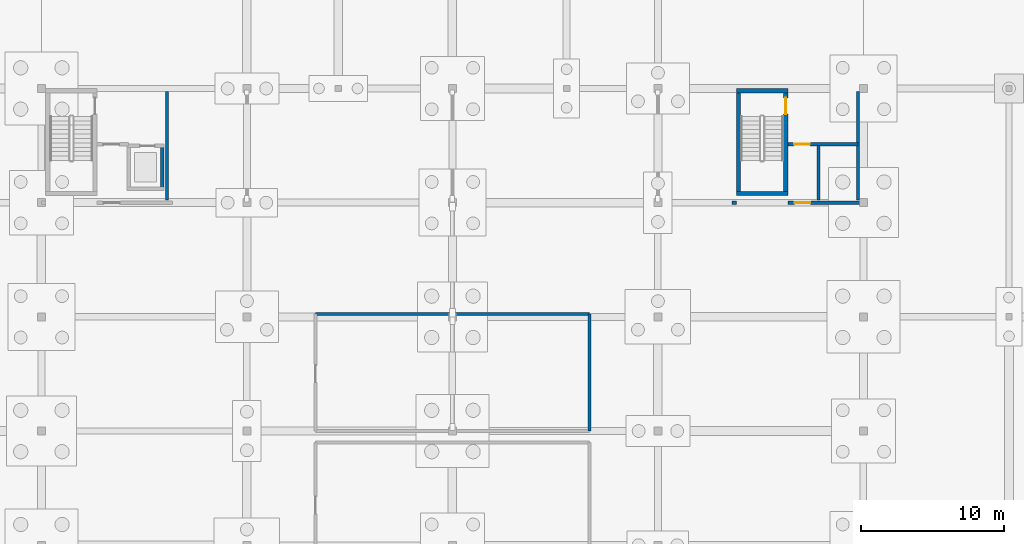
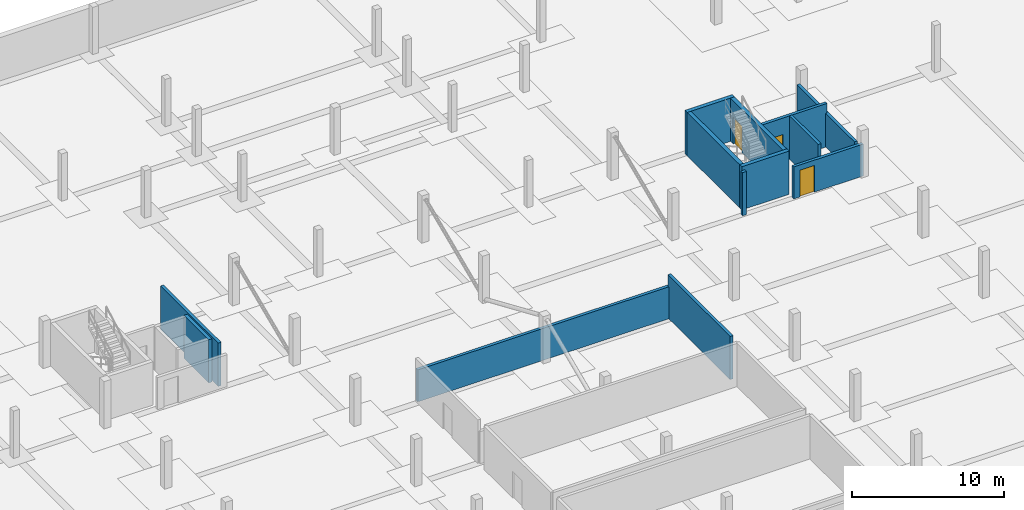
# One storey, part 23 of 38: 13 walls, 3 doors, 3 openings.
"""IFC4 building model written with IfcOpenShell, lengths in metres."""

from ifc_helpers import new_model, si_unit, direction, frame, frame_2d, origin, origin_with_axes, place, context, subcontext, project, spatial, rectangle, extrude, material, layer, layer_set, type_object, element, fill, save


model = new_model("IFC4")

# Units and contexts
model_context = context("Model", 3, precision=1e-05, world=origin(), true_north=direction((0.0, 1.0)))
body_context = subcontext(model_context, "Body", "Model", "MODEL_VIEW")
ifc_project = project(units=[si_unit("LENGTHUNIT", "METRE"), si_unit("AREAUNIT", "SQUARE_METRE"), si_unit("VOLUMEUNIT", "CUBIC_METRE"), si_unit("PLANEANGLEUNIT", "RADIAN"), si_unit("MASSUNIT", "GRAM", prefix="KILO")], contexts=[model_context])

# Site, building, storey
site_placement = place(None, origin())
site = spatial("IfcSite", under=ifc_project, at=site_placement, CompositionType="ELEMENT")
building_placement = place(site_placement, origin())
building = spatial("IfcBuilding", under=site, at=building_placement, Name="Zavelmont Quarter", CompositionType="ELEMENT")
storey_placement = place(building_placement, frame((0.0, 0.0, -3.800048828125)))
storey = spatial("IfcBuildingStorey", under=building, at=storey_placement, Name="B01", CompositionType="ELEMENT", Elevation=-3.800048828125)

# Walls
ifc_material_1 = material(Name="Reinforced masonry fire compartment wall", Category="masonry")
ifc_layer_1 = layer(ifc_material_1, 0.22509765625)
ifc_layer_set_1 = layer_set([ifc_layer_1], Name="Reinforced masonry fire compartment wall")
wall_type_1 = type_object("IfcWallType", Name="IW02", PredefinedType="PARTITIONING", material=ifc_layer_set_1)
wall_1_placement = place(storey_placement, frame((64.010009765625, 78.199951171875, 0.0), z_axis=(0.0, 0.0, 1.0), x_axis=(0.0, 1.0, 0.0)))
element("IfcWall", 1, at=wall_1_placement, inside=storey, type_object=wall_type_1, Name="B01 Firefighting lobby enclosure wall IW02", PredefinedType="PARTITIONING", context=body_context, shape_type="SweptSolid", body=[
    extrude(rectangle(XDim=7.60009765625, YDim=0.22509765625, at=frame_2d((3.800048828125, 0.0))), origin(), (0.0, 0.0, 1.0), 3.47998046875),
])
wall_2_placement = place(storey_placement, frame((112.409912109375, 78.199951171875, 0.0), z_axis=(0.0, 0.0, 1.0), x_axis=(0.0, 1.0, 0.0)))
element("IfcWall", 2, at=wall_2_placement, inside=storey, type_object=wall_type_1, Name="B01 Firefighting lobby enclosure wall IW02", PredefinedType="PARTITIONING", context=body_context, shape_type="SweptSolid", body=[
    extrude(rectangle(XDim=7.60009765625, YDim=0.22509765625, at=frame_2d((3.800048828125, 0.0))), origin(), (0.0, 0.0, 1.0), 2.719970703125),
])
wall_3_placement = place(storey_placement, frame((109.64990234375, 78.199951171875, 0.0), z_axis=(0.0, 0.0, 1.0), x_axis=(0.0, 1.0, 0.0)))
element("IfcWall", 3, at=wall_3_placement, inside=storey, type_object=wall_type_1, Name="B01 Vestibule side wall IW02", PredefinedType="PARTITIONING", context=body_context, shape_type="SweptSolid", body=[
    extrude(rectangle(XDim=3.800048828125, YDim=0.22509765625, at=frame_2d((1.89990234375, 0.0))), origin(), (0.0, 0.0, 1.0), 3.47998046875),
])

# Wall, opening, door
wall_4_placement = place(storey_placement, frame((107.5, 82.10009765625, 0.0), z_axis=(0.0, 0.0, 1.0), x_axis=(1.0, 0.0, 0.0)))
wall_4 = element("IfcWall", 4, at=wall_4_placement, inside=storey, type_object=wall_type_1, Name="B01 Firefighting lobby threshold wall IW02", PredefinedType="PARTITIONING", context=body_context, shape_type="SweptSolid", body=[
    extrude(rectangle(XDim=4.909912109375, YDim=0.22509765625, at=frame_2d((2.455078125, 0.0))), origin(), (0.0, 0.0, 1.0), 3.47998046875),
])
opening_1_placement = place(wall_4_placement, frame((0.449951171875, 0.0, 0.0)))
opening_1 = element("IfcOpeningElement", 5, at=opening_1_placement, cuts=wall_4, Name="Opening DR10", PredefinedType="OPENING", context=body_context, shape_type="SweptSolid", body=[
    extrude(rectangle(XDim=1.10009765625, YDim=2.14990234375, at=frame_2d((0.550048828125, 1.074951171875))), frame((0.0, 0.12451171875, 0.0), z_axis=(0.0, -1.0, 0.0), x_axis=(1.0, 0.0, 0.0)), (0.0, 0.0, 1.0), 0.2490234375),
])
ifc_material_2 = material(Name="Painted steel lobby fire door", Category="steel")
door_type_1 = type_object("IfcDoorType", Name="DR10", OperationType="NOTDEFINED", PredefinedType="DOOR", material=ifc_material_2)
door_1_placement = place(opening_1_placement, origin_with_axes())
door_1 = element("IfcDoor", 6, at=door_1_placement, inside=storey, type_object=door_type_1, Name="Firefighting lobby fire door", OperationType="SINGLE_SWING_RIGHT", OverallHeight=2.14990234375, OverallWidth=1.10009765625, PredefinedType="DOOR", context=body_context, shape_type="SweptSolid", body=[
    extrude(rectangle(XDim=1.10009765625, YDim=2.14990234375, at=frame_2d((0.550048828125, 1.074951171875))), frame((0.0, 0.02490234375, 0.0), z_axis=(0.0, -1.0, 0.0), x_axis=(1.0, 0.0, 0.0)), (0.0, 0.0, 1.0), 0.050048828125),
])
fill(opening_1, door_1)

# Wall
wall_5_placement = place(storey_placement, frame((103.60009765625, 78.0, 0.0), z_axis=(0.0, 0.0, 1.0), x_axis=(1.0, 0.0, 0.0)))
element("IfcWall", 7, at=wall_5_placement, inside=storey, type_object=wall_type_1, Name="B01 Core corridor wall IW02", PredefinedType="PARTITIONING", context=body_context, shape_type="SweptSolid", body=[
    extrude(rectangle(XDim=0.2998046875, YDim=0.22509765625, at=frame_2d((0.14990234375, 0.0))), origin(), (0.0, 0.0, 1.0), 3.47998046875),
])

# Wall, opening, door
wall_6_placement = place(storey_placement, frame((107.5, 78.0, 0.0), z_axis=(0.0, 0.0, 1.0), x_axis=(1.0, 0.0, 0.0)))
wall_6 = element("IfcWall", 8, at=wall_6_placement, inside=storey, type_object=wall_type_1, Name="B01 Core corridor fire wall IW02", PredefinedType="PARTITIONING", context=body_context, shape_type="SweptSolid", body=[
    extrude(rectangle(XDim=5.300048828125, YDim=0.22509765625, at=frame_2d((2.64990234375, 0.0))), origin(), (0.0, 0.0, 1.0), 2.570068359375),
])
opening_2_placement = place(wall_6_placement, frame((0.47509765625, 0.0, 0.0)))
opening_2 = element("IfcOpeningElement", 9, at=opening_2_placement, cuts=wall_6, Name="Opening DR10", PredefinedType="OPENING", context=body_context, shape_type="SweptSolid", body=[
    extrude(rectangle(XDim=1.10009765625, YDim=2.14990234375, at=frame_2d((0.550048828125, 1.074951171875))), frame((0.0, 0.12451171875, 0.0), z_axis=(0.0, -1.0, 0.0), x_axis=(1.0, 0.0, 0.0)), (0.0, 0.0, 1.0), 0.2490234375),
])
door_2_placement = place(opening_2_placement, origin_with_axes())
door_2 = element("IfcDoor", 10, at=door_2_placement, inside=storey, type_object=door_type_1, Name="Core vestibule fire door", OperationType="SINGLE_SWING_LEFT", OverallHeight=2.14990234375, OverallWidth=1.10009765625, PredefinedType="DOOR", context=body_context, shape_type="SweptSolid", body=[
    extrude(rectangle(XDim=1.10009765625, YDim=2.14990234375, at=frame_2d((0.550048828125, 1.074951171875))), frame((0.0, 0.02490234375, 0.0), z_axis=(0.0, -1.0, 0.0), x_axis=(1.0, 0.0, 0.0)), (0.0, 0.0, 1.0), 0.050048828125),
])
fill(opening_2, door_2)

# Walls
wall_7_placement = place(storey_placement, frame((74.39990234375, 70.199951171875, 0.0), z_axis=(0.0, 0.0, 1.0), x_axis=(1.0, 0.0, 0.0)))
element("IfcWall", 11, at=wall_7_placement, inside=storey, type_object=wall_type_1, Name="B01 Main Electrical Switchroom N wall IW02", PredefinedType="PARTITIONING", context=body_context, shape_type="SweptSolid", body=[
    extrude(rectangle(XDim=19.2001953125, YDim=0.22509765625, at=frame_2d((9.60009765625, 0.0))), origin(), (0.0, 0.0, 1.0), 2.570068359375),
])
wall_8_placement = place(storey_placement, frame((93.60009765625, 62.0, 0.0), z_axis=(0.0, 0.0, 1.0), x_axis=(0.0, 1.0, 0.0)))
element("IfcWall", 12, at=wall_8_placement, inside=storey, type_object=wall_type_1, Name="B01 Main Electrical Switchroom E wall IW02", PredefinedType="PARTITIONING", context=body_context, shape_type="SweptSolid", body=[
    extrude(rectangle(XDim=8.199951171875, YDim=0.22509765625, at=frame_2d((4.10009765625, 0.0))), origin(), (0.0, 0.0, 1.0), 3.47998046875),
])
ifc_material_3 = material(Name="Concrete C40/50", Category="concrete")
ifc_layer_2 = layer(ifc_material_3, 0.300048828125)
ifc_layer_set_2 = layer_set([ifc_layer_2], Name="Concrete C40/50")
wall_type_2 = type_object("IfcWallType", Name="SW01", PredefinedType="SHEAR", material=ifc_layer_set_2)
for number, where, z_axis, x_axis, name in (
    (13, (103.89990234375, 85.85009765625, 0.0), (0.0, 0.0, 1.0), (1.0, 0.0, 0.0), "B01 ST10 outer shear wall SW01"),
    (14, (103.89990234375, 78.64990234375, 0.0), (0.0, 0.0, 1.0), (1.0, 0.0, 0.0), "B01 ST10 corridor shear wall SW01"),
):
    element("IfcWall", number, at=place(storey_placement, frame(where, z_axis=z_axis, x_axis=x_axis)), inside=storey, type_object=wall_type_2, Name=name, PredefinedType="SHEAR", context=body_context, shape_type="SweptSolid", body=[
        extrude(rectangle(XDim=3.60009765625, YDim=0.300048828125, at=frame_2d((1.800048828125, 0.0))), origin(), (0.0, 0.0, 1.0), 3.47998046875),
    ])
wall_9_placement = place(storey_placement, frame((104.050048828125, 78.5, 0.0), z_axis=(0.0, 0.0, 1.0), x_axis=(0.0, 1.0, 0.0)))
element("IfcWall", 15, at=wall_9_placement, inside=storey, type_object=wall_type_2, Name="B01 ST10 west shear wall SW01", PredefinedType="SHEAR", context=body_context, shape_type="SweptSolid", body=[
    extrude(rectangle(XDim=7.5, YDim=0.300048828125, at=frame_2d((3.75, 0.0))), origin(), (0.0, 0.0, 1.0), 3.47998046875),
])

# Wall, opening, door
wall_10_placement = place(storey_placement, frame((107.35009765625, 78.5, 0.0), z_axis=(0.0, 0.0, 1.0), x_axis=(0.0, 1.0, 0.0)))
wall_10 = element("IfcWall", 16, at=wall_10_placement, inside=storey, type_object=wall_type_2, Name="B01 ST10 lobby shear wall SW01", PredefinedType="SHEAR", context=body_context, shape_type="SweptSolid", body=[
    extrude(rectangle(XDim=7.5, YDim=0.300048828125, at=frame_2d((3.75, 0.0))), origin(), (0.0, 0.0, 1.0), 3.47998046875),
])
opening_3_placement = place(wall_10_placement, frame((5.699951171875, 0.0, 0.0)))
opening_3 = element("IfcOpeningElement", 17, at=opening_3_placement, cuts=wall_10, Name="Opening DR09", PredefinedType="OPENING", context=body_context, shape_type="SweptSolid", body=[
    extrude(rectangle(XDim=1.14990234375, YDim=2.14990234375, at=frame_2d((0.574951171875, 1.074951171875))), frame((0.0, 0.162109375, 0.0), z_axis=(0.0, -1.0, 0.0), x_axis=(1.0, 0.0, 0.0)), (0.0, 0.0, 1.0), 0.323974609375),
])
ifc_material_4 = material(Name="Painted steel stair-core fire door", Category="steel")
door_type_2 = type_object("IfcDoorType", Name="DR09", OperationType="NOTDEFINED", PredefinedType="DOOR", material=ifc_material_4)
door_3_placement = place(opening_3_placement, origin_with_axes())
door_3 = element("IfcDoor", 18, at=door_3_placement, inside=storey, type_object=door_type_2, Name="ST10 protected stair door", OperationType="SINGLE_SWING_LEFT", OverallHeight=2.14990234375, OverallWidth=1.14990234375, PredefinedType="DOOR", context=body_context, shape_type="SweptSolid", body=[
    extrude(rectangle(XDim=1.14990234375, YDim=2.14990234375, at=frame_2d((0.574951171875, 1.074951171875))), frame((0.0, 0.02490234375, 0.0), z_axis=(0.0, -1.0, 0.0), x_axis=(1.0, 0.0, 0.0)), (0.0, 0.0, 1.0), 0.050048828125),
])
fill(opening_3, door_3)

# Wall
ifc_layer_3 = layer(ifc_material_3, 0.25)
ifc_layer_set_3 = layer_set([ifc_layer_3], Name="Concrete C40/50")
wall_type_3 = type_object("IfcWallType", Name="SW02", PredefinedType="SHEAR", material=ifc_layer_set_3)
wall_11_placement = place(storey_placement, frame((63.675048828125, 78.85009765625, 0.0), z_axis=(0.0, 0.0, 1.0), x_axis=(0.0, 1.0, 0.0)))
element("IfcWall", 19, at=wall_11_placement, inside=storey, type_object=wall_type_3, Name="B01 Lift LF09 east shaft wall SW02", PredefinedType="SHEAR", context=body_context, shape_type="SweptSolid", body=[
    extrude(rectangle(XDim=3.25, YDim=0.25, at=frame_2d((1.625, 0.0))), origin(), (0.0, 0.0, 1.0), 3.47998046875),
])

save(model, "model.ifc")
